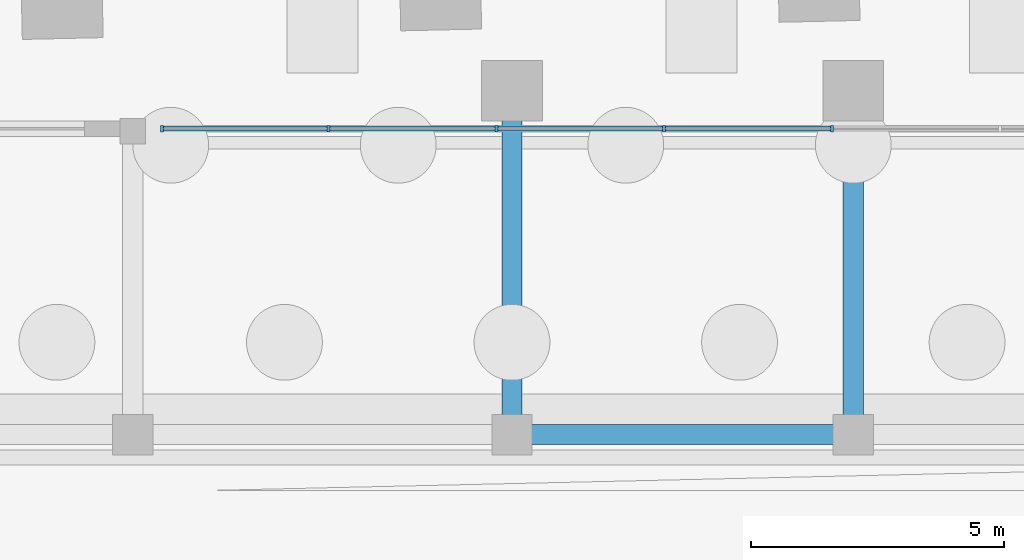
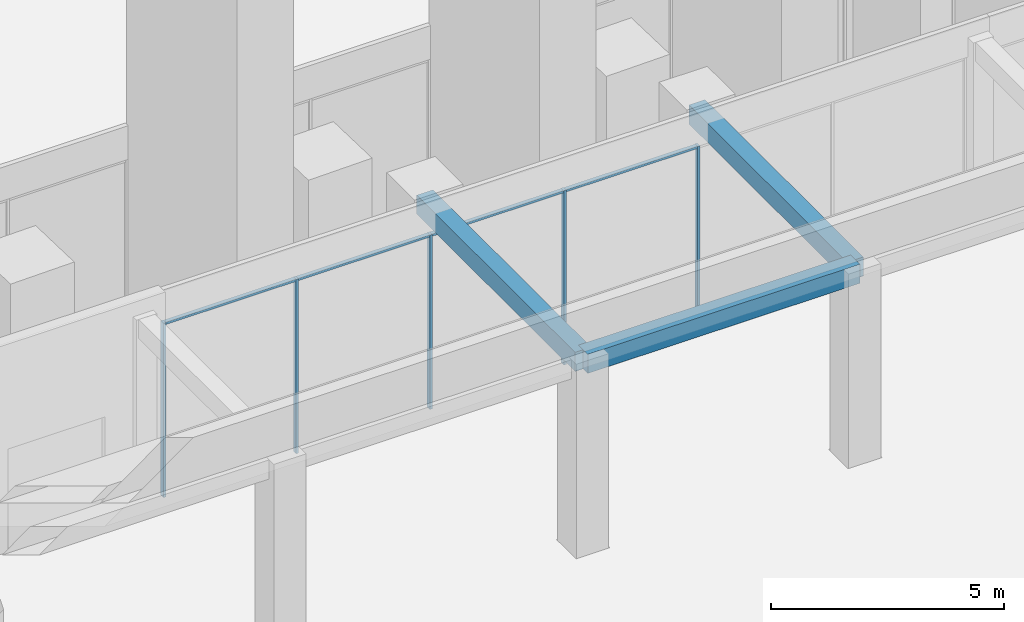
# One storey, part 11 of 46: 9 members, 3 beams, 1 element without a shape of its own.
"""IFC4 building model written with IfcOpenShell, lengths in metres."""

from ifc_helpers import new_model, si_unit, direction, frame, origin, origin_2d, place, context, subcontext, project, spatial, rectangle, extrude, material, material_profile, profile_set, type_object, element, aggregate, save


model = new_model("IFC4")

# Units and contexts
model_context = context("Model", 3, precision=1e-05, world=origin(), true_north=direction((0.0, 1.0)))
body_context = subcontext(model_context, "Body", "Model", "MODEL_VIEW")
ifc_project = project(units=[si_unit("LENGTHUNIT", "METRE"), si_unit("AREAUNIT", "SQUARE_METRE"), si_unit("VOLUMEUNIT", "CUBIC_METRE"), si_unit("PLANEANGLEUNIT", "RADIAN"), si_unit("MASSUNIT", "GRAM", prefix="KILO")], contexts=[model_context])

# Site, building, storey
site_placement = place(None, origin())
site = spatial("IfcSite", under=ifc_project, at=site_placement, CompositionType="ELEMENT")
building_placement = place(site_placement, origin())
building = spatial("IfcBuilding", under=site, at=building_placement, Name="Mangrove Gate Tower", CompositionType="ELEMENT")
storey_placement = place(building_placement, origin())
storey = spatial("IfcBuildingStorey", under=building, at=storey_placement, Name="L00", CompositionType="ELEMENT", Elevation=0.0)

# Beams
ifc_material_1 = material(Name="Concrete C70/85", Category="concrete")
ifc_material_profile_1 = material_profile(ifc_material_1, rectangle(XDim=0.39990234375, YDim=0.5, at=origin_2d()))
ifc_profile_set_1 = profile_set([ifc_material_profile_1], Name="Concrete C70/85")
beam_type = type_object("IfcBeamType", Name="Canopy beam RC 400x500 C70/85", PredefinedType="BEAM", material=ifc_profile_set_1)
beam_placement = place(storey_placement, frame((11.25, -36.89990234375, 4.830078125), z_axis=(1.0, 0.0, 0.0), x_axis=(0.0, 1.0, 0.0)))
element("IfcBeam", 1, at=beam_placement, inside=storey, type_object=beam_type, Name="Canopy beam L00 CES08", PredefinedType="BEAM", context=body_context, shape_type="SweptSolid", body=[
    extrude(rectangle(XDim=0.39990234375, YDim=0.5, at=origin_2d()), origin(), (0.0, 0.0, 1.0), 6.75),
])
for number, where, z_axis, x_axis, name in (
    (2, (11.25, -30.10009765625, 4.830078125), (0.0, -1.0, 0.0), (1.0, 0.0, 0.0), "Canopy beam L00 CBS08"),
    (3, (18.0, -30.10009765625, 4.830078125), (0.0, -1.0, 0.0), (1.0, 0.0, 0.0), "Canopy beam L00 CBS09"),
):
    element("IfcBeam", number, at=place(storey_placement, frame(where, z_axis=z_axis, x_axis=x_axis)), inside=storey, type_object=beam_type, Name=name, PredefinedType="BEAM", context=body_context, shape_type="SweptSolid", body=[
        extrude(rectangle(XDim=0.39990234375, YDim=0.5, at=origin_2d()), origin(), (0.0, 0.0, 1.0), 6.7998046875),
    ])

# Curtain wall, members
ifc_material_2 = material(Name="Aluminium and glass curtain wall", Category="aluminium")
curtain_wall_type = type_object("IfcCurtainWallType", Name="Podium shopfront glazing wall", PredefinedType="NOTDEFINED", material=ifc_material_2)
curtain_wall_placement = place(storey_placement, origin())
curtain_wall = element("IfcCurtainWall", 4, at=curtain_wall_placement, inside=storey, type_object=curtain_wall_type, Name="Podium shopfront glazing S4s3", PredefinedType="NOTDEFINED")
ifc_material_3 = material(Name="Aluminium alloy 6063-T6", Category="aluminium")
ifc_material_profile_2 = material_profile(ifc_material_3, rectangle(XDim=0.06005859375, YDim=0.1201171875, at=origin_2d()))
ifc_profile_set_2 = profile_set([ifc_material_profile_2], Name="Aluminium alloy 6063-T6")
member_type_1 = type_object("IfcMemberType", Name="Podium shopfront glazing mullion 60x120", PredefinedType="MULLION", material=ifc_profile_set_2)
member_1_placement = place(storey_placement, frame((4.330078125, -30.85009765625, 0.0), z_axis=(0.0, 0.0, 1.0), x_axis=(1.0, 0.0, 0.0)))
member_1 = element("IfcMember", 5, at=member_1_placement, type_object=member_type_1, Name="CWS mullion 1", PredefinedType="MULLION", context=body_context, shape_type="SweptSolid", body=[
    extrude(rectangle(XDim=0.06005859375, YDim=0.1201171875, at=origin_2d()), origin(), (0.0, 0.0, 1.0), 4.570068359375),
])
member_2_placement = place(storey_placement, frame((7.6201171875, -30.85009765625, 0.0), z_axis=(0.0, 0.0, 1.0), x_axis=(1.0, 0.0, 0.0)))
member_2 = element("IfcMember", 6, at=member_2_placement, type_object=member_type_1, Name="CWS mullion 2", PredefinedType="MULLION", context=body_context, shape_type="SweptSolid", body=[
    extrude(rectangle(XDim=0.06005859375, YDim=0.1201171875, at=origin_2d()), origin(), (0.0, 0.0, 1.0), 4.570068359375),
])
member_3_placement = place(storey_placement, frame((10.93994140625, -30.85009765625, 0.0), z_axis=(0.0, 0.0, 1.0), x_axis=(1.0, 0.0, 0.0)))
member_3 = element("IfcMember", 7, at=member_3_placement, type_object=member_type_1, Name="CWS mullion 3", PredefinedType="MULLION", context=body_context, shape_type="SweptSolid", body=[
    extrude(rectangle(XDim=0.06005859375, YDim=0.1201171875, at=origin_2d()), origin(), (0.0, 0.0, 1.0), 4.570068359375),
])
member_4_placement = place(storey_placement, frame((14.260009765625, -30.85009765625, 0.0), z_axis=(0.0, 0.0, 1.0), x_axis=(1.0, 0.0, 0.0)))
member_4 = element("IfcMember", 8, at=member_4_placement, type_object=member_type_1, Name="CWS mullion 4", PredefinedType="MULLION", context=body_context, shape_type="SweptSolid", body=[
    extrude(rectangle(XDim=0.06005859375, YDim=0.1201171875, at=origin_2d()), origin(), (0.0, 0.0, 1.0), 4.570068359375),
])
member_5_placement = place(storey_placement, frame((17.580078125, -30.85009765625, 0.0), z_axis=(0.0, 0.0, 1.0), x_axis=(1.0, 0.0, 0.0)))
member_5 = element("IfcMember", 9, at=member_5_placement, type_object=member_type_1, Name="CWS mullion 5", PredefinedType="MULLION", context=body_context, shape_type="SweptSolid", body=[
    extrude(rectangle(XDim=0.06005859375, YDim=0.1201171875, at=origin_2d()), origin(), (0.0, 0.0, 1.0), 4.570068359375),
])
ifc_material_4 = material(Name="Aluminium alloy 6063-T6", Category="aluminium")
ifc_material_profile_3 = material_profile(ifc_material_4, rectangle(XDim=0.06005859375, YDim=0.10009765625, at=origin_2d()))
ifc_profile_set_3 = profile_set([ifc_material_profile_3], Name="Aluminium alloy 6063-T6")
member_type_2 = type_object("IfcMemberType", Name="Podium shopfront glazing transom 60x100", PredefinedType="USERDEFINED", material=ifc_profile_set_3)
member_6_placement = place(storey_placement, frame((4.360107421875, -30.85009765625, 4.5400390625), z_axis=(1.0, 0.0, 0.0), x_axis=(0.0, 0.0, 1.0)))
member_6 = element("IfcMember", 10, at=member_6_placement, type_object=member_type_2, Name="CWS transom 1.2", ObjectType="TRANSOM", PredefinedType="USERDEFINED", context=body_context, shape_type="SweptSolid", body=[
    extrude(rectangle(XDim=0.06005859375, YDim=0.10009765625, at=origin_2d()), origin(), (0.0, 0.0, 1.0), 3.22998046875),
])
member_7_placement = place(storey_placement, frame((7.64990234375, -30.85009765625, 4.5400390625), z_axis=(1.0, 0.0, 0.0), x_axis=(0.0, 0.0, 1.0)))
member_7 = element("IfcMember", 11, at=member_7_placement, type_object=member_type_2, Name="CWS transom 2.2", ObjectType="TRANSOM", PredefinedType="USERDEFINED", context=body_context, shape_type="SweptSolid", body=[
    extrude(rectangle(XDim=0.06005859375, YDim=0.10009765625, at=origin_2d()), origin(), (0.0, 0.0, 1.0), 3.260009765625),
])
member_8_placement = place(storey_placement, frame((10.969970703125, -30.85009765625, 4.5400390625), z_axis=(1.0, 0.0, 0.0), x_axis=(0.0, 0.0, 1.0)))
member_8 = element("IfcMember", 12, at=member_8_placement, type_object=member_type_2, Name="CWS transom 3.2", ObjectType="TRANSOM", PredefinedType="USERDEFINED", context=body_context, shape_type="SweptSolid", body=[
    extrude(rectangle(XDim=0.06005859375, YDim=0.10009765625, at=origin_2d()), origin(), (0.0, 0.0, 1.0), 3.260009765625),
])
member_9_placement = place(storey_placement, frame((14.2900390625, -30.85009765625, 4.5400390625), z_axis=(1.0, 0.0, 0.0), x_axis=(0.0, 0.0, 1.0)))
member_9 = element("IfcMember", 13, at=member_9_placement, type_object=member_type_2, Name="CWS transom 4.2", ObjectType="TRANSOM", PredefinedType="USERDEFINED", context=body_context, shape_type="SweptSolid", body=[
    extrude(rectangle(XDim=0.06005859375, YDim=0.10009765625, at=origin_2d()), origin(), (0.0, 0.0, 1.0), 3.260009765625),
])
aggregate(curtain_wall, [member_1, member_2, member_3, member_4, member_5, member_6, member_7, member_8, member_9])

save(model, "model.ifc")
